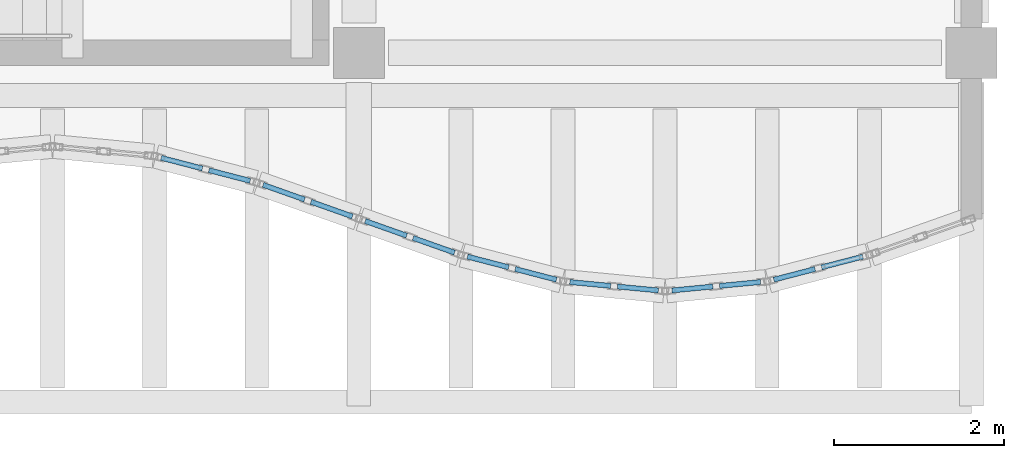
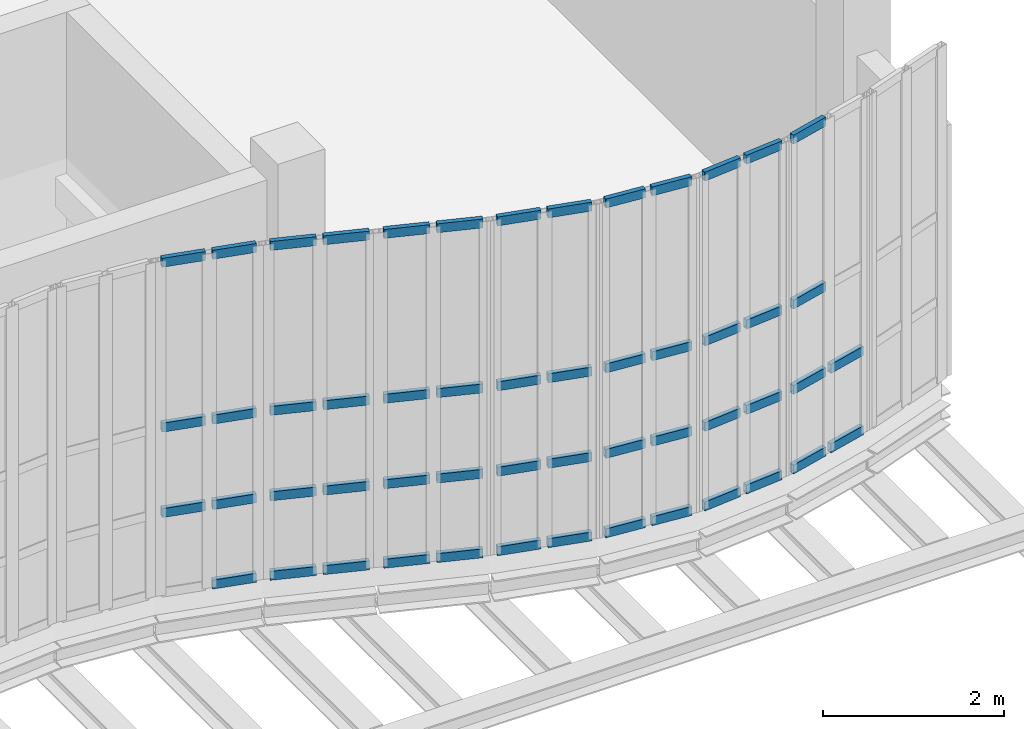
# One storey, part 62 of 105: 53 members, 7 elements without a shape of their own.
"""IFC4 building model written with IfcOpenShell, lengths in metres."""

from ifc_helpers import new_model, si_unit, direction, frame, origin, origin_2d, place, context, subcontext, project, spatial, hollow_rectangle, extrude, material, layer, layer_set, material_profile, profile_set, type_object, element, aggregate, save


model = new_model("IFC4")

# Units and contexts
model_context = context("Model", 3, precision=1e-05, world=origin(), true_north=direction((0.0, 1.0)))
body_context = subcontext(model_context, "Body", "Model", "MODEL_VIEW")
ifc_project = project(units=[si_unit("LENGTHUNIT", "METRE"), si_unit("AREAUNIT", "SQUARE_METRE"), si_unit("VOLUMEUNIT", "CUBIC_METRE"), si_unit("PLANEANGLEUNIT", "RADIAN"), si_unit("MASSUNIT", "GRAM", prefix="KILO"), si_unit("THERMODYNAMICTEMPERATUREUNIT", "KELVIN"), si_unit("POWERUNIT", "WATT")], contexts=[model_context])

# Site, building, storey
site_placement = place(None, origin())
site = spatial("IfcSite", under=ifc_project, at=site_placement, CompositionType="ELEMENT")
building_placement = place(site_placement, origin())
building = spatial("IfcBuilding", under=site, at=building_placement, Name="Kaldorven Railside Theatre", CompositionType="ELEMENT")
storey_placement = place(building_placement, frame((0.0, 0.0, 9.89990234375)))
storey = spatial("IfcBuildingStorey", under=building, at=storey_placement, Name="L02", CompositionType="ELEMENT", Elevation=9.89990234375)

# Curtain wall, members
ifc_material_1 = material(Name="Low-E laminated solar-control glass", Category="glass")
ifc_layer_1 = layer(ifc_material_1, 0.159912109375, Name="Low-E laminated solar-control glass")
ifc_layer_set_1 = layer_set([ifc_layer_1], Name="Low-E laminated solar-control glass")
curtain_wall_type_1 = type_object("IfcCurtainWallType", Name="CWT-02", PredefinedType="USERDEFINED", material=ifc_layer_set_1)
curtain_wall_1_placement = place(storey_placement, origin())
curtain_wall_1 = element("IfcCurtainWall", 1, at=curtain_wall_1_placement, inside=storey, type_object=curtain_wall_type_1, Name="Sinusoidal Fluted Curtain Wall CW-L02-S65", ObjectType="FLUTED GLAZING", PredefinedType="USERDEFINED")
ifc_material_2 = material(Name="Anodised bronze aluminium", Category="aluminium")
ifc_material_profile = material_profile(ifc_material_2, hollow_rectangle(XDim=0.06005859375, YDim=0.1201171875, WallThickness=0.0048828125, at=origin_2d()), Name="RHS 120x60x5")
ifc_profile_set = profile_set([ifc_material_profile], Name="Anodised bronze aluminium")
member_type = type_object("IfcMemberType", Name="CWT-120", PredefinedType="USERDEFINED", material=ifc_profile_set)
member_1_placement = place(storey_placement, frame((113.677490234375, 17.966064453125, 1.10009765625), z_axis=(0.967979318949, -0.251029954561, 0.0), x_axis=(0.251029954561, 0.967979318949, 0.0)))
member_1 = element("IfcMember", 2, at=member_1_placement, type_object=member_type, Name="CW-L02-S65 transom 1.2", ObjectType="TRANSOM", PredefinedType="USERDEFINED", context=body_context, shape_type="SweptSolid", body=[
    extrude(hollow_rectangle(XDim=0.06005859375, YDim=0.1201171875, WallThickness=0.0048828125, at=origin_2d()), origin(), (0.0, 0.0, 1.0), 0.5),
])
member_2_placement = place(storey_placement, frame((113.677490234375, 17.966064453125, 2.25), z_axis=(0.967979318949, -0.251029954561, 0.0), x_axis=(0.251029954561, 0.967979318949, 0.0)))
member_2 = element("IfcMember", 3, at=member_2_placement, type_object=member_type, Name="CW-L02-S65 transom 1.3", ObjectType="TRANSOM", PredefinedType="USERDEFINED", context=body_context, shape_type="SweptSolid", body=[
    extrude(hollow_rectangle(XDim=0.06005859375, YDim=0.1201171875, WallThickness=0.0048828125, at=origin_2d()), origin(), (0.0, 0.0, 1.0), 0.5),
])
member_3_placement = place(storey_placement, frame((113.677490234375, 17.966064453125, 4.47021484375), z_axis=(0.967979318949, -0.251029954561, 0.0), x_axis=(0.251029954561, 0.967979318949, 0.0)))
member_3 = element("IfcMember", 4, at=member_3_placement, type_object=member_type, Name="CW-L02-S65 transom 1.4", ObjectType="TRANSOM", PredefinedType="USERDEFINED", context=body_context, shape_type="SweptSolid", body=[
    extrude(hollow_rectangle(XDim=0.06005859375, YDim=0.1201171875, WallThickness=0.0048828125, at=origin_2d()), origin(), (0.0, 0.0, 1.0), 0.5),
])
member_4_placement = place(storey_placement, frame((114.23876953125, 17.820556640625, 0.030029296875), z_axis=(0.967979318949, -0.251029954561, 0.0), x_axis=(0.251029954561, 0.967979318949, 0.0)))
member_4 = element("IfcMember", 5, at=member_4_placement, type_object=member_type, Name="CW-L02-S65 transom 2.1", ObjectType="TRANSOM", PredefinedType="USERDEFINED", context=body_context, shape_type="SweptSolid", body=[
    extrude(hollow_rectangle(XDim=0.06005859375, YDim=0.1201171875, WallThickness=0.0048828125, at=origin_2d()), origin(), (0.0, 0.0, 1.0), 0.5),
])
member_5_placement = place(storey_placement, frame((114.23876953125, 17.820556640625, 1.10009765625), z_axis=(0.967979318949, -0.251029954561, 0.0), x_axis=(0.251029954561, 0.967979318949, 0.0)))
member_5 = element("IfcMember", 6, at=member_5_placement, type_object=member_type, Name="CW-L02-S65 transom 2.2", ObjectType="TRANSOM", PredefinedType="USERDEFINED", context=body_context, shape_type="SweptSolid", body=[
    extrude(hollow_rectangle(XDim=0.06005859375, YDim=0.1201171875, WallThickness=0.0048828125, at=origin_2d()), origin(), (0.0, 0.0, 1.0), 0.5),
])
member_6_placement = place(storey_placement, frame((114.23876953125, 17.820556640625, 2.25), z_axis=(0.967979318949, -0.251029954561, 0.0), x_axis=(0.251029954561, 0.967979318949, 0.0)))
member_6 = element("IfcMember", 7, at=member_6_placement, type_object=member_type, Name="CW-L02-S65 transom 2.3", ObjectType="TRANSOM", PredefinedType="USERDEFINED", context=body_context, shape_type="SweptSolid", body=[
    extrude(hollow_rectangle(XDim=0.06005859375, YDim=0.1201171875, WallThickness=0.0048828125, at=origin_2d()), origin(), (0.0, 0.0, 1.0), 0.5),
])
member_7_placement = place(storey_placement, frame((114.23876953125, 17.820556640625, 4.47021484375), z_axis=(0.967979318949, -0.251029954561, 0.0), x_axis=(0.251029954561, 0.967979318949, 0.0)))
member_7 = element("IfcMember", 8, at=member_7_placement, type_object=member_type, Name="CW-L02-S65 transom 2.4", ObjectType="TRANSOM", PredefinedType="USERDEFINED", context=body_context, shape_type="SweptSolid", body=[
    extrude(hollow_rectangle(XDim=0.06005859375, YDim=0.1201171875, WallThickness=0.0048828125, at=origin_2d()), origin(), (0.0, 0.0, 1.0), 0.5),
])
aggregate(curtain_wall_1, [member_1, member_2, member_3, member_4, member_5, member_6, member_7])

ifc_layer_2 = layer(ifc_material_1, 0.159912109375, Name="Low-E laminated solar-control glass")
ifc_layer_set_2 = layer_set([ifc_layer_2], Name="Low-E laminated solar-control glass")
curtain_wall_type_2 = type_object("IfcCurtainWallType", Name="CWT-01", PredefinedType="USERDEFINED", material=ifc_layer_set_2)
curtain_wall_2_placement = place(storey_placement, origin())
curtain_wall_2 = element("IfcCurtainWall", 9, at=curtain_wall_2_placement, inside=storey, type_object=curtain_wall_type_2, Name="Sinusoidal Fluted Curtain Wall CW-L02-S66", ObjectType="FLUTED GLAZING", PredefinedType="USERDEFINED")
member_8_placement = place(storey_placement, frame((114.87548828125, 17.648193359375, 0.030029296875), z_axis=(0.942658214948, -0.333759628763, 0.0), x_axis=(0.333759628763, 0.942658214948, 0.0)))
member_8 = element("IfcMember", 10, at=member_8_placement, type_object=member_type, Name="CW-L02-S66 transom 1.1", ObjectType="TRANSOM", PredefinedType="USERDEFINED", context=body_context, shape_type="SweptSolid", body=[
    extrude(hollow_rectangle(XDim=0.06005859375, YDim=0.1201171875, WallThickness=0.0048828125, at=origin_2d()), origin(), (0.0, 0.0, 1.0), 0.516357421875),
])
member_9_placement = place(storey_placement, frame((114.87548828125, 17.648193359375, 1.10009765625), z_axis=(0.942658214948, -0.333759628763, 0.0), x_axis=(0.333759628763, 0.942658214948, 0.0)))
member_9 = element("IfcMember", 11, at=member_9_placement, type_object=member_type, Name="CW-L02-S66 transom 1.2", ObjectType="TRANSOM", PredefinedType="USERDEFINED", context=body_context, shape_type="SweptSolid", body=[
    extrude(hollow_rectangle(XDim=0.06005859375, YDim=0.1201171875, WallThickness=0.0048828125, at=origin_2d()), origin(), (0.0, 0.0, 1.0), 0.516357421875),
])
member_10_placement = place(storey_placement, frame((114.87548828125, 17.648193359375, 2.25), z_axis=(0.942658214948, -0.333759628763, 0.0), x_axis=(0.333759628763, 0.942658214948, 0.0)))
member_10 = element("IfcMember", 12, at=member_10_placement, type_object=member_type, Name="CW-L02-S66 transom 1.3", ObjectType="TRANSOM", PredefinedType="USERDEFINED", context=body_context, shape_type="SweptSolid", body=[
    extrude(hollow_rectangle(XDim=0.06005859375, YDim=0.1201171875, WallThickness=0.0048828125, at=origin_2d()), origin(), (0.0, 0.0, 1.0), 0.516357421875),
])
member_11_placement = place(storey_placement, frame((114.87548828125, 17.648193359375, 4.47021484375), z_axis=(0.942658214948, -0.333759628763, 0.0), x_axis=(0.333759628763, 0.942658214948, 0.0)))
member_11 = element("IfcMember", 13, at=member_11_placement, type_object=member_type, Name="CW-L02-S66 transom 1.4", ObjectType="TRANSOM", PredefinedType="USERDEFINED", context=body_context, shape_type="SweptSolid", body=[
    extrude(hollow_rectangle(XDim=0.06005859375, YDim=0.1201171875, WallThickness=0.0048828125, at=origin_2d()), origin(), (0.0, 0.0, 1.0), 0.516357421875),
])
member_12_placement = place(storey_placement, frame((115.437744140625, 17.44921875, 0.030029296875), z_axis=(0.942509408488, -0.334179614745, 0.0), x_axis=(0.334179614745, 0.942509408488, 0.0)))
member_12 = element("IfcMember", 14, at=member_12_placement, type_object=member_type, Name="CW-L02-S66 transom 2.1", ObjectType="TRANSOM", PredefinedType="USERDEFINED", context=body_context, shape_type="SweptSolid", body=[
    extrude(hollow_rectangle(XDim=0.06005859375, YDim=0.1201171875, WallThickness=0.0048828125, at=origin_2d()), origin(), (0.0, 0.0, 1.0), 0.5166015625),
])
member_13_placement = place(storey_placement, frame((115.437744140625, 17.44921875, 1.10009765625), z_axis=(0.942509408488, -0.334179614745, 0.0), x_axis=(0.334179614745, 0.942509408488, 0.0)))
member_13 = element("IfcMember", 15, at=member_13_placement, type_object=member_type, Name="CW-L02-S66 transom 2.2", ObjectType="TRANSOM", PredefinedType="USERDEFINED", context=body_context, shape_type="SweptSolid", body=[
    extrude(hollow_rectangle(XDim=0.06005859375, YDim=0.1201171875, WallThickness=0.0048828125, at=origin_2d()), origin(), (0.0, 0.0, 1.0), 0.5166015625),
])
member_14_placement = place(storey_placement, frame((115.437744140625, 17.44921875, 2.25), z_axis=(0.942509408488, -0.334179614745, 0.0), x_axis=(0.334179614745, 0.942509408488, 0.0)))
member_14 = element("IfcMember", 16, at=member_14_placement, type_object=member_type, Name="CW-L02-S66 transom 2.3", ObjectType="TRANSOM", PredefinedType="USERDEFINED", context=body_context, shape_type="SweptSolid", body=[
    extrude(hollow_rectangle(XDim=0.06005859375, YDim=0.1201171875, WallThickness=0.0048828125, at=origin_2d()), origin(), (0.0, 0.0, 1.0), 0.5166015625),
])
member_15_placement = place(storey_placement, frame((115.437744140625, 17.44921875, 4.47021484375), z_axis=(0.942509408488, -0.334179614745, 0.0), x_axis=(0.334179614745, 0.942509408488, 0.0)))
member_15 = element("IfcMember", 17, at=member_15_placement, type_object=member_type, Name="CW-L02-S66 transom 2.4", ObjectType="TRANSOM", PredefinedType="USERDEFINED", context=body_context, shape_type="SweptSolid", body=[
    extrude(hollow_rectangle(XDim=0.06005859375, YDim=0.1201171875, WallThickness=0.0048828125, at=origin_2d()), origin(), (0.0, 0.0, 1.0), 0.5166015625),
])
aggregate(curtain_wall_2, [member_8, member_9, member_10, member_11, member_12, member_13, member_14, member_15])

curtain_wall_3_placement = place(storey_placement, origin())
curtain_wall_3 = element("IfcCurtainWall", 18, at=curtain_wall_3_placement, inside=storey, type_object=curtain_wall_type_2, Name="Sinusoidal Fluted Curtain Wall CW-L02-S67", ObjectType="FLUTED GLAZING", PredefinedType="USERDEFINED")
member_16_placement = place(storey_placement, frame((116.075439453125, 17.223388671875, 0.030029296875), z_axis=(0.942509408488, -0.334179614745, 0.0), x_axis=(0.334179614745, 0.942509408488, 0.0)))
member_16 = element("IfcMember", 19, at=member_16_placement, type_object=member_type, Name="CW-L02-S67 transom 1.1", ObjectType="TRANSOM", PredefinedType="USERDEFINED", context=body_context, shape_type="SweptSolid", body=[
    extrude(hollow_rectangle(XDim=0.06005859375, YDim=0.1201171875, WallThickness=0.0048828125, at=origin_2d()), origin(), (0.0, 0.0, 1.0), 0.5166015625),
])
member_17_placement = place(storey_placement, frame((116.075439453125, 17.223388671875, 1.10009765625), z_axis=(0.942509408488, -0.334179614745, 0.0), x_axis=(0.334179614745, 0.942509408488, 0.0)))
member_17 = element("IfcMember", 20, at=member_17_placement, type_object=member_type, Name="CW-L02-S67 transom 1.2", ObjectType="TRANSOM", PredefinedType="USERDEFINED", context=body_context, shape_type="SweptSolid", body=[
    extrude(hollow_rectangle(XDim=0.06005859375, YDim=0.1201171875, WallThickness=0.0048828125, at=origin_2d()), origin(), (0.0, 0.0, 1.0), 0.5166015625),
])
member_18_placement = place(storey_placement, frame((116.075439453125, 17.223388671875, 2.25), z_axis=(0.942509408488, -0.334179614745, 0.0), x_axis=(0.334179614745, 0.942509408488, 0.0)))
member_18 = element("IfcMember", 21, at=member_18_placement, type_object=member_type, Name="CW-L02-S67 transom 1.3", ObjectType="TRANSOM", PredefinedType="USERDEFINED", context=body_context, shape_type="SweptSolid", body=[
    extrude(hollow_rectangle(XDim=0.06005859375, YDim=0.1201171875, WallThickness=0.0048828125, at=origin_2d()), origin(), (0.0, 0.0, 1.0), 0.5166015625),
])
member_19_placement = place(storey_placement, frame((116.075439453125, 17.223388671875, 4.47021484375), z_axis=(0.942509408488, -0.334179614745, 0.0), x_axis=(0.334179614745, 0.942509408488, 0.0)))
member_19 = element("IfcMember", 22, at=member_19_placement, type_object=member_type, Name="CW-L02-S67 transom 1.4", ObjectType="TRANSOM", PredefinedType="USERDEFINED", context=body_context, shape_type="SweptSolid", body=[
    extrude(hollow_rectangle(XDim=0.06005859375, YDim=0.1201171875, WallThickness=0.0048828125, at=origin_2d()), origin(), (0.0, 0.0, 1.0), 0.5166015625),
])
member_20_placement = place(storey_placement, frame((116.6376953125, 17.024169921875, 0.030029296875), z_axis=(0.942658214948, -0.333759628763, 0.0), x_axis=(0.333759628763, 0.942658214948, 0.0)))
member_20 = element("IfcMember", 23, at=member_20_placement, type_object=member_type, Name="CW-L02-S67 transom 2.1", ObjectType="TRANSOM", PredefinedType="USERDEFINED", context=body_context, shape_type="SweptSolid", body=[
    extrude(hollow_rectangle(XDim=0.06005859375, YDim=0.1201171875, WallThickness=0.0048828125, at=origin_2d()), origin(), (0.0, 0.0, 1.0), 0.516357421875),
])
member_21_placement = place(storey_placement, frame((116.6376953125, 17.024169921875, 1.10009765625), z_axis=(0.942658214948, -0.333759628763, 0.0), x_axis=(0.333759628763, 0.942658214948, 0.0)))
member_21 = element("IfcMember", 24, at=member_21_placement, type_object=member_type, Name="CW-L02-S67 transom 2.2", ObjectType="TRANSOM", PredefinedType="USERDEFINED", context=body_context, shape_type="SweptSolid", body=[
    extrude(hollow_rectangle(XDim=0.06005859375, YDim=0.1201171875, WallThickness=0.0048828125, at=origin_2d()), origin(), (0.0, 0.0, 1.0), 0.516357421875),
])
member_22_placement = place(storey_placement, frame((116.6376953125, 17.024169921875, 2.25), z_axis=(0.942658214948, -0.333759628763, 0.0), x_axis=(0.333759628763, 0.942658214948, 0.0)))
member_22 = element("IfcMember", 25, at=member_22_placement, type_object=member_type, Name="CW-L02-S67 transom 2.3", ObjectType="TRANSOM", PredefinedType="USERDEFINED", context=body_context, shape_type="SweptSolid", body=[
    extrude(hollow_rectangle(XDim=0.06005859375, YDim=0.1201171875, WallThickness=0.0048828125, at=origin_2d()), origin(), (0.0, 0.0, 1.0), 0.516357421875),
])
member_23_placement = place(storey_placement, frame((116.6376953125, 17.024169921875, 4.47021484375), z_axis=(0.942658214948, -0.333759628763, 0.0), x_axis=(0.333759628763, 0.942658214948, 0.0)))
member_23 = element("IfcMember", 26, at=member_23_placement, type_object=member_type, Name="CW-L02-S67 transom 2.4", ObjectType="TRANSOM", PredefinedType="USERDEFINED", context=body_context, shape_type="SweptSolid", body=[
    extrude(hollow_rectangle(XDim=0.06005859375, YDim=0.1201171875, WallThickness=0.0048828125, at=origin_2d()), origin(), (0.0, 0.0, 1.0), 0.516357421875),
])
aggregate(curtain_wall_3, [member_16, member_17, member_18, member_19, member_20, member_21, member_22, member_23])

curtain_wall_4_placement = place(storey_placement, origin())
curtain_wall_4 = element("IfcCurtainWall", 27, at=curtain_wall_4_placement, inside=storey, type_object=curtain_wall_type_1, Name="Sinusoidal Fluted Curtain Wall CW-L02-S68", ObjectType="FLUTED GLAZING", PredefinedType="USERDEFINED")
member_24_placement = place(storey_placement, frame((117.27734375, 16.804931640625, 0.030029296875), z_axis=(0.967979318949, -0.251029954561, 0.0), x_axis=(0.251029954561, 0.967979318949, 0.0)))
member_24 = element("IfcMember", 28, at=member_24_placement, type_object=member_type, Name="CW-L02-S68 transom 1.1", ObjectType="TRANSOM", PredefinedType="USERDEFINED", context=body_context, shape_type="SweptSolid", body=[
    extrude(hollow_rectangle(XDim=0.06005859375, YDim=0.1201171875, WallThickness=0.0048828125, at=origin_2d()), origin(), (0.0, 0.0, 1.0), 0.5),
])
member_25_placement = place(storey_placement, frame((117.27734375, 16.804931640625, 1.10009765625), z_axis=(0.967979318949, -0.251029954561, 0.0), x_axis=(0.251029954561, 0.967979318949, 0.0)))
member_25 = element("IfcMember", 29, at=member_25_placement, type_object=member_type, Name="CW-L02-S68 transom 1.2", ObjectType="TRANSOM", PredefinedType="USERDEFINED", context=body_context, shape_type="SweptSolid", body=[
    extrude(hollow_rectangle(XDim=0.06005859375, YDim=0.1201171875, WallThickness=0.0048828125, at=origin_2d()), origin(), (0.0, 0.0, 1.0), 0.5),
])
member_26_placement = place(storey_placement, frame((117.27734375, 16.804931640625, 2.25), z_axis=(0.967979318949, -0.251029954561, 0.0), x_axis=(0.251029954561, 0.967979318949, 0.0)))
member_26 = element("IfcMember", 30, at=member_26_placement, type_object=member_type, Name="CW-L02-S68 transom 1.3", ObjectType="TRANSOM", PredefinedType="USERDEFINED", context=body_context, shape_type="SweptSolid", body=[
    extrude(hollow_rectangle(XDim=0.06005859375, YDim=0.1201171875, WallThickness=0.0048828125, at=origin_2d()), origin(), (0.0, 0.0, 1.0), 0.5),
])
member_27_placement = place(storey_placement, frame((117.27734375, 16.804931640625, 4.47021484375), z_axis=(0.967979318949, -0.251029954561, 0.0), x_axis=(0.251029954561, 0.967979318949, 0.0)))
member_27 = element("IfcMember", 31, at=member_27_placement, type_object=member_type, Name="CW-L02-S68 transom 1.4", ObjectType="TRANSOM", PredefinedType="USERDEFINED", context=body_context, shape_type="SweptSolid", body=[
    extrude(hollow_rectangle(XDim=0.06005859375, YDim=0.1201171875, WallThickness=0.0048828125, at=origin_2d()), origin(), (0.0, 0.0, 1.0), 0.5),
])
member_28_placement = place(storey_placement, frame((117.838623046875, 16.659423828125, 0.030029296875), z_axis=(0.967979318949, -0.251029954561, 0.0), x_axis=(0.251029954561, 0.967979318949, 0.0)))
member_28 = element("IfcMember", 32, at=member_28_placement, type_object=member_type, Name="CW-L02-S68 transom 2.1", ObjectType="TRANSOM", PredefinedType="USERDEFINED", context=body_context, shape_type="SweptSolid", body=[
    extrude(hollow_rectangle(XDim=0.06005859375, YDim=0.1201171875, WallThickness=0.0048828125, at=origin_2d()), origin(), (0.0, 0.0, 1.0), 0.5),
])
member_29_placement = place(storey_placement, frame((117.838623046875, 16.659423828125, 1.10009765625), z_axis=(0.967979318949, -0.251029954561, 0.0), x_axis=(0.251029954561, 0.967979318949, 0.0)))
member_29 = element("IfcMember", 33, at=member_29_placement, type_object=member_type, Name="CW-L02-S68 transom 2.2", ObjectType="TRANSOM", PredefinedType="USERDEFINED", context=body_context, shape_type="SweptSolid", body=[
    extrude(hollow_rectangle(XDim=0.06005859375, YDim=0.1201171875, WallThickness=0.0048828125, at=origin_2d()), origin(), (0.0, 0.0, 1.0), 0.5),
])
member_30_placement = place(storey_placement, frame((117.838623046875, 16.659423828125, 2.25), z_axis=(0.967979318949, -0.251029954561, 0.0), x_axis=(0.251029954561, 0.967979318949, 0.0)))
member_30 = element("IfcMember", 34, at=member_30_placement, type_object=member_type, Name="CW-L02-S68 transom 2.3", ObjectType="TRANSOM", PredefinedType="USERDEFINED", context=body_context, shape_type="SweptSolid", body=[
    extrude(hollow_rectangle(XDim=0.06005859375, YDim=0.1201171875, WallThickness=0.0048828125, at=origin_2d()), origin(), (0.0, 0.0, 1.0), 0.5),
])
member_31_placement = place(storey_placement, frame((117.838623046875, 16.659423828125, 4.47021484375), z_axis=(0.967979318949, -0.251029954561, 0.0), x_axis=(0.251029954561, 0.967979318949, 0.0)))
member_31 = element("IfcMember", 35, at=member_31_placement, type_object=member_type, Name="CW-L02-S68 transom 2.4", ObjectType="TRANSOM", PredefinedType="USERDEFINED", context=body_context, shape_type="SweptSolid", body=[
    extrude(hollow_rectangle(XDim=0.06005859375, YDim=0.1201171875, WallThickness=0.0048828125, at=origin_2d()), origin(), (0.0, 0.0, 1.0), 0.5),
])
aggregate(curtain_wall_4, [member_24, member_25, member_26, member_27, member_28, member_29, member_30, member_31])

ifc_layer_3 = layer(ifc_material_1, 0.159912109375, Name="Low-E laminated solar-control glass")
ifc_layer_set_3 = layer_set([ifc_layer_3], Name="Low-E laminated solar-control glass")
curtain_wall_type_3 = type_object("IfcCurtainWallType", Name="CWT-03", PredefinedType="USERDEFINED", material=ifc_layer_set_3)
curtain_wall_5_placement = place(storey_placement, origin())
curtain_wall_5 = element("IfcCurtainWall", 36, at=curtain_wall_5_placement, inside=storey, type_object=curtain_wall_type_3, Name="Sinusoidal Fluted Curtain Wall CW-L02-S69", ObjectType="FLUTED GLAZING", PredefinedType="USERDEFINED")
member_32_placement = place(storey_placement, frame((118.479736328125, 16.50634765625, 0.030029296875), z_axis=(0.995515910823, -0.094594245591, 0.0), x_axis=(0.094594245591, 0.995515910823, 0.0)))
member_32 = element("IfcMember", 37, at=member_32_placement, type_object=member_type, Name="CW-L02-S69 transom 1.1", ObjectType="TRANSOM", PredefinedType="USERDEFINED", context=body_context, shape_type="SweptSolid", body=[
    extrude(hollow_rectangle(XDim=0.06005859375, YDim=0.1201171875, WallThickness=0.0048828125, at=origin_2d()), origin(), (0.0, 0.0, 1.0), 0.482666015625),
])
member_33_placement = place(storey_placement, frame((118.479736328125, 16.50634765625, 1.10009765625), z_axis=(0.995515910823, -0.094594245591, 0.0), x_axis=(0.094594245591, 0.995515910823, 0.0)))
member_33 = element("IfcMember", 38, at=member_33_placement, type_object=member_type, Name="CW-L02-S69 transom 1.2", ObjectType="TRANSOM", PredefinedType="USERDEFINED", context=body_context, shape_type="SweptSolid", body=[
    extrude(hollow_rectangle(XDim=0.06005859375, YDim=0.1201171875, WallThickness=0.0048828125, at=origin_2d()), origin(), (0.0, 0.0, 1.0), 0.482666015625),
])
member_34_placement = place(storey_placement, frame((118.479736328125, 16.50634765625, 2.25), z_axis=(0.995515910823, -0.094594245591, 0.0), x_axis=(0.094594245591, 0.995515910823, 0.0)))
member_34 = element("IfcMember", 39, at=member_34_placement, type_object=member_type, Name="CW-L02-S69 transom 1.3", ObjectType="TRANSOM", PredefinedType="USERDEFINED", context=body_context, shape_type="SweptSolid", body=[
    extrude(hollow_rectangle(XDim=0.06005859375, YDim=0.1201171875, WallThickness=0.0048828125, at=origin_2d()), origin(), (0.0, 0.0, 1.0), 0.482666015625),
])
member_35_placement = place(storey_placement, frame((118.479736328125, 16.50634765625, 4.47021484375), z_axis=(0.995515910823, -0.094594245591, 0.0), x_axis=(0.094594245591, 0.995515910823, 0.0)))
member_35 = element("IfcMember", 40, at=member_35_placement, type_object=member_type, Name="CW-L02-S69 transom 1.4", ObjectType="TRANSOM", PredefinedType="USERDEFINED", context=body_context, shape_type="SweptSolid", body=[
    extrude(hollow_rectangle(XDim=0.06005859375, YDim=0.1201171875, WallThickness=0.0048828125, at=origin_2d()), origin(), (0.0, 0.0, 1.0), 0.482666015625),
])
member_36_placement = place(storey_placement, frame((119.039794921875, 16.453125, 0.030029296875), z_axis=(0.995515910823, -0.094594245591, 0.0), x_axis=(0.094594245591, 0.995515910823, 0.0)))
member_36 = element("IfcMember", 41, at=member_36_placement, type_object=member_type, Name="CW-L02-S69 transom 2.1", ObjectType="TRANSOM", PredefinedType="USERDEFINED", context=body_context, shape_type="SweptSolid", body=[
    extrude(hollow_rectangle(XDim=0.06005859375, YDim=0.1201171875, WallThickness=0.0048828125, at=origin_2d()), origin(), (0.0, 0.0, 1.0), 0.482666015625),
])
member_37_placement = place(storey_placement, frame((119.039794921875, 16.453125, 1.10009765625), z_axis=(0.995515910823, -0.094594245591, 0.0), x_axis=(0.094594245591, 0.995515910823, 0.0)))
member_37 = element("IfcMember", 42, at=member_37_placement, type_object=member_type, Name="CW-L02-S69 transom 2.2", ObjectType="TRANSOM", PredefinedType="USERDEFINED", context=body_context, shape_type="SweptSolid", body=[
    extrude(hollow_rectangle(XDim=0.06005859375, YDim=0.1201171875, WallThickness=0.0048828125, at=origin_2d()), origin(), (0.0, 0.0, 1.0), 0.482666015625),
])
member_38_placement = place(storey_placement, frame((119.039794921875, 16.453125, 2.25), z_axis=(0.995515910823, -0.094594245591, 0.0), x_axis=(0.094594245591, 0.995515910823, 0.0)))
member_38 = element("IfcMember", 43, at=member_38_placement, type_object=member_type, Name="CW-L02-S69 transom 2.3", ObjectType="TRANSOM", PredefinedType="USERDEFINED", context=body_context, shape_type="SweptSolid", body=[
    extrude(hollow_rectangle(XDim=0.06005859375, YDim=0.1201171875, WallThickness=0.0048828125, at=origin_2d()), origin(), (0.0, 0.0, 1.0), 0.482666015625),
])
member_39_placement = place(storey_placement, frame((119.039794921875, 16.453125, 4.47021484375), z_axis=(0.995515910823, -0.094594245591, 0.0), x_axis=(0.094594245591, 0.995515910823, 0.0)))
member_39 = element("IfcMember", 44, at=member_39_placement, type_object=member_type, Name="CW-L02-S69 transom 2.4", ObjectType="TRANSOM", PredefinedType="USERDEFINED", context=body_context, shape_type="SweptSolid", body=[
    extrude(hollow_rectangle(XDim=0.06005859375, YDim=0.1201171875, WallThickness=0.0048828125, at=origin_2d()), origin(), (0.0, 0.0, 1.0), 0.482666015625),
])
aggregate(curtain_wall_5, [member_32, member_33, member_34, member_35, member_36, member_37, member_38, member_39])

curtain_wall_6_placement = place(storey_placement, origin())
curtain_wall_6 = element("IfcCurtainWall", 45, at=curtain_wall_6_placement, inside=storey, type_object=curtain_wall_type_3, Name="Sinusoidal Fluted Curtain Wall CW-L02-S70", ObjectType="FLUTED GLAZING", PredefinedType="USERDEFINED")
member_40_placement = place(storey_placement, frame((119.6796875, 16.407470703125, 0.030029296875), z_axis=(0.995515910823, 0.094594245591, 0.0), x_axis=(-0.094594245591, 0.995515910823, 0.0)))
member_40 = element("IfcMember", 46, at=member_40_placement, type_object=member_type, Name="CW-L02-S70 transom 1.1", ObjectType="TRANSOM", PredefinedType="USERDEFINED", context=body_context, shape_type="SweptSolid", body=[
    extrude(hollow_rectangle(XDim=0.06005859375, YDim=0.1201171875, WallThickness=0.0048828125, at=origin_2d()), origin(), (0.0, 0.0, 1.0), 0.482666015625),
])
member_41_placement = place(storey_placement, frame((119.6796875, 16.407470703125, 1.10009765625), z_axis=(0.995515910823, 0.094594245591, 0.0), x_axis=(-0.094594245591, 0.995515910823, 0.0)))
member_41 = element("IfcMember", 47, at=member_41_placement, type_object=member_type, Name="CW-L02-S70 transom 1.2", ObjectType="TRANSOM", PredefinedType="USERDEFINED", context=body_context, shape_type="SweptSolid", body=[
    extrude(hollow_rectangle(XDim=0.06005859375, YDim=0.1201171875, WallThickness=0.0048828125, at=origin_2d()), origin(), (0.0, 0.0, 1.0), 0.482666015625),
])
member_42_placement = place(storey_placement, frame((119.6796875, 16.407470703125, 2.25), z_axis=(0.995515910823, 0.094594245591, 0.0), x_axis=(-0.094594245591, 0.995515910823, 0.0)))
member_42 = element("IfcMember", 48, at=member_42_placement, type_object=member_type, Name="CW-L02-S70 transom 1.3", ObjectType="TRANSOM", PredefinedType="USERDEFINED", context=body_context, shape_type="SweptSolid", body=[
    extrude(hollow_rectangle(XDim=0.06005859375, YDim=0.1201171875, WallThickness=0.0048828125, at=origin_2d()), origin(), (0.0, 0.0, 1.0), 0.482666015625),
])
member_43_placement = place(storey_placement, frame((119.6796875, 16.407470703125, 4.47021484375), z_axis=(0.995515910823, 0.094594245591, 0.0), x_axis=(-0.094594245591, 0.995515910823, 0.0)))
member_43 = element("IfcMember", 49, at=member_43_placement, type_object=member_type, Name="CW-L02-S70 transom 1.4", ObjectType="TRANSOM", PredefinedType="USERDEFINED", context=body_context, shape_type="SweptSolid", body=[
    extrude(hollow_rectangle(XDim=0.06005859375, YDim=0.1201171875, WallThickness=0.0048828125, at=origin_2d()), origin(), (0.0, 0.0, 1.0), 0.482666015625),
])
member_44_placement = place(storey_placement, frame((120.23974609375, 16.460693359375, 0.030029296875), z_axis=(0.995520433802, 0.094546633378, 0.0), x_axis=(-0.094546633378, 0.995520433802, 0.0)))
member_44 = element("IfcMember", 50, at=member_44_placement, type_object=member_type, Name="CW-L02-S70 transom 2.1", ObjectType="TRANSOM", PredefinedType="USERDEFINED", context=body_context, shape_type="SweptSolid", body=[
    extrude(hollow_rectangle(XDim=0.06005859375, YDim=0.1201171875, WallThickness=0.0048828125, at=origin_2d()), origin(), (0.0, 0.0, 1.0), 0.48291015625),
])
member_45_placement = place(storey_placement, frame((120.23974609375, 16.460693359375, 1.10009765625), z_axis=(0.995520433802, 0.094546633378, 0.0), x_axis=(-0.094546633378, 0.995520433802, 0.0)))
member_45 = element("IfcMember", 51, at=member_45_placement, type_object=member_type, Name="CW-L02-S70 transom 2.2", ObjectType="TRANSOM", PredefinedType="USERDEFINED", context=body_context, shape_type="SweptSolid", body=[
    extrude(hollow_rectangle(XDim=0.06005859375, YDim=0.1201171875, WallThickness=0.0048828125, at=origin_2d()), origin(), (0.0, 0.0, 1.0), 0.48291015625),
])
member_46_placement = place(storey_placement, frame((120.23974609375, 16.460693359375, 2.25), z_axis=(0.995520433802, 0.094546633378, 0.0), x_axis=(-0.094546633378, 0.995520433802, 0.0)))
member_46 = element("IfcMember", 52, at=member_46_placement, type_object=member_type, Name="CW-L02-S70 transom 2.3", ObjectType="TRANSOM", PredefinedType="USERDEFINED", context=body_context, shape_type="SweptSolid", body=[
    extrude(hollow_rectangle(XDim=0.06005859375, YDim=0.1201171875, WallThickness=0.0048828125, at=origin_2d()), origin(), (0.0, 0.0, 1.0), 0.48291015625),
])
member_47_placement = place(storey_placement, frame((120.23974609375, 16.460693359375, 4.47021484375), z_axis=(0.995520433802, 0.094546633378, 0.0), x_axis=(-0.094546633378, 0.995520433802, 0.0)))
member_47 = element("IfcMember", 53, at=member_47_placement, type_object=member_type, Name="CW-L02-S70 transom 2.4", ObjectType="TRANSOM", PredefinedType="USERDEFINED", context=body_context, shape_type="SweptSolid", body=[
    extrude(hollow_rectangle(XDim=0.06005859375, YDim=0.1201171875, WallThickness=0.0048828125, at=origin_2d()), origin(), (0.0, 0.0, 1.0), 0.48291015625),
])
aggregate(curtain_wall_6, [member_40, member_41, member_42, member_43, member_44, member_45, member_46, member_47])

curtain_wall_7_placement = place(storey_placement, origin())
curtain_wall_7 = element("IfcCurtainWall", 54, at=curtain_wall_7_placement, inside=storey, type_object=curtain_wall_type_1, Name="Sinusoidal Fluted Curtain Wall CW-L02-S71", ObjectType="FLUTED GLAZING", PredefinedType="USERDEFINED")
member_48_placement = place(storey_placement, frame((120.87744140625, 16.533935546875, 0.030029296875), z_axis=(0.967979318949, 0.251029954561, 0.0), x_axis=(-0.251029954561, 0.967979318949, 0.0)))
member_48 = element("IfcMember", 55, at=member_48_placement, type_object=member_type, Name="CW-L02-S71 transom 1.1", ObjectType="TRANSOM", PredefinedType="USERDEFINED", context=body_context, shape_type="SweptSolid", body=[
    extrude(hollow_rectangle(XDim=0.06005859375, YDim=0.1201171875, WallThickness=0.0048828125, at=origin_2d()), origin(), (0.0, 0.0, 1.0), 0.5),
])
member_49_placement = place(storey_placement, frame((120.87744140625, 16.533935546875, 1.10009765625), z_axis=(0.967979318949, 0.251029954561, 0.0), x_axis=(-0.251029954561, 0.967979318949, 0.0)))
member_49 = element("IfcMember", 56, at=member_49_placement, type_object=member_type, Name="CW-L02-S71 transom 1.2", ObjectType="TRANSOM", PredefinedType="USERDEFINED", context=body_context, shape_type="SweptSolid", body=[
    extrude(hollow_rectangle(XDim=0.06005859375, YDim=0.1201171875, WallThickness=0.0048828125, at=origin_2d()), origin(), (0.0, 0.0, 1.0), 0.5),
])
member_50_placement = place(storey_placement, frame((120.87744140625, 16.533935546875, 2.25), z_axis=(0.967979318949, 0.251029954561, 0.0), x_axis=(-0.251029954561, 0.967979318949, 0.0)))
member_50 = element("IfcMember", 57, at=member_50_placement, type_object=member_type, Name="CW-L02-S71 transom 1.3", ObjectType="TRANSOM", PredefinedType="USERDEFINED", context=body_context, shape_type="SweptSolid", body=[
    extrude(hollow_rectangle(XDim=0.06005859375, YDim=0.1201171875, WallThickness=0.0048828125, at=origin_2d()), origin(), (0.0, 0.0, 1.0), 0.5),
])
member_51_placement = place(storey_placement, frame((120.87744140625, 16.533935546875, 4.47021484375), z_axis=(0.967979318949, 0.251029954561, 0.0), x_axis=(-0.251029954561, 0.967979318949, 0.0)))
member_51 = element("IfcMember", 58, at=member_51_placement, type_object=member_type, Name="CW-L02-S71 transom 1.4", ObjectType="TRANSOM", PredefinedType="USERDEFINED", context=body_context, shape_type="SweptSolid", body=[
    extrude(hollow_rectangle(XDim=0.06005859375, YDim=0.1201171875, WallThickness=0.0048828125, at=origin_2d()), origin(), (0.0, 0.0, 1.0), 0.5),
])
member_52_placement = place(storey_placement, frame((121.438720703125, 16.679443359375, 0.030029296875), z_axis=(0.967979318949, 0.251029954561, 0.0), x_axis=(-0.251029954561, 0.967979318949, 0.0)))
member_52 = element("IfcMember", 59, at=member_52_placement, type_object=member_type, Name="CW-L02-S71 transom 2.1", ObjectType="TRANSOM", PredefinedType="USERDEFINED", context=body_context, shape_type="SweptSolid", body=[
    extrude(hollow_rectangle(XDim=0.06005859375, YDim=0.1201171875, WallThickness=0.0048828125, at=origin_2d()), origin(), (0.0, 0.0, 1.0), 0.5),
])
member_53_placement = place(storey_placement, frame((121.438720703125, 16.679443359375, 1.10009765625), z_axis=(0.967979318949, 0.251029954561, 0.0), x_axis=(-0.251029954561, 0.967979318949, 0.0)))
member_53 = element("IfcMember", 60, at=member_53_placement, type_object=member_type, Name="CW-L02-S71 transom 2.2", ObjectType="TRANSOM", PredefinedType="USERDEFINED", context=body_context, shape_type="SweptSolid", body=[
    extrude(hollow_rectangle(XDim=0.06005859375, YDim=0.1201171875, WallThickness=0.0048828125, at=origin_2d()), origin(), (0.0, 0.0, 1.0), 0.5),
])
aggregate(curtain_wall_7, [member_48, member_49, member_50, member_51, member_52, member_53])

save(model, "model.ifc")
